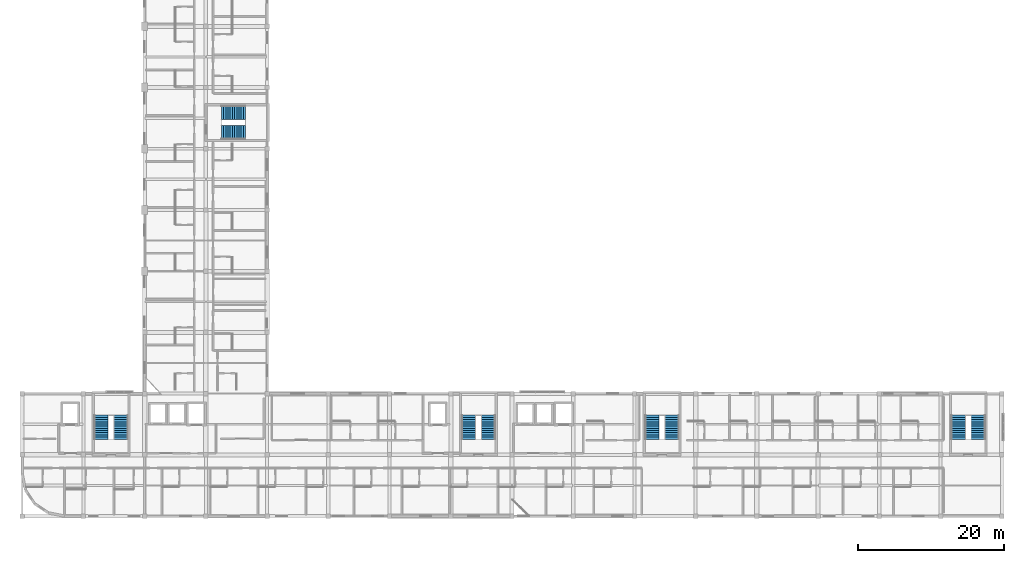
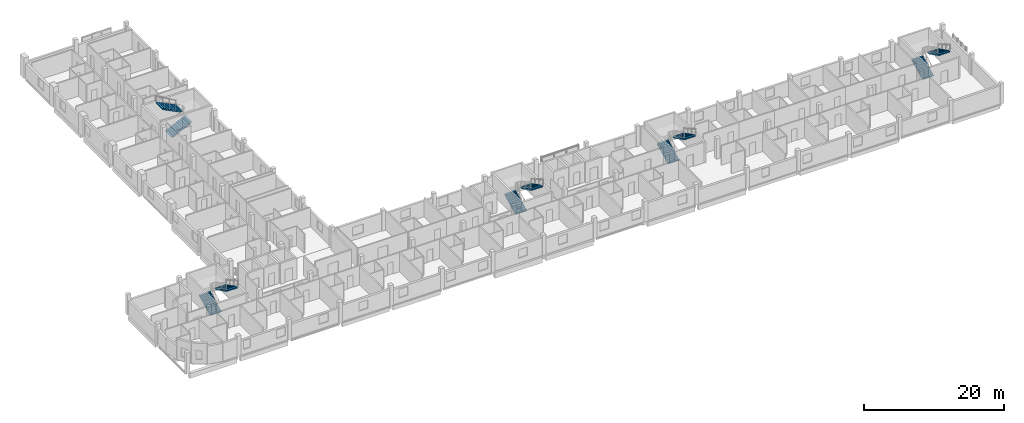
# One storey, part 22 of 24: 10 stair flights, 5 elements without a shape of their own.
"""IFC4 building model written with IfcOpenShell, lengths in metres."""

import ifcopenshell
import ifcopenshell.guid

model = None  # the IFC model being written
_history = None  # IfcOwnerHistory: only IFC2X3 demands one
_inside = {}  # id of a spatial element -> (the spatial element, [elements in it])
_under = {}  # id of a project, library or spatial element -> (it, [spatial elements below it])
_declared = {}  # id of a project -> (the project, [libraries it declares])
_typed = {}  # id of a type object -> (the type object, [elements of that type])
_made_of = {}  # id of a material, layer set ... -> (it, [elements and type objects made of it])


def new_model(schema):
    """Start an empty IFC model of exactly this schema.

    Asked for "IFC4X3", IfcOpenShell would pick the latest addendum, in which some entities
    have other attributes; the version numbers below select the first issue.
    IFC2X3 requires an IfcOwnerHistory on every rooted entity: one is made here for all.
    """
    global model, _history
    if schema == "IFC4X3":
        model = ifcopenshell.file(schema_version=(4, 3, 0, 0))
    else:
        model = ifcopenshell.file(schema=schema)
    _inside.clear()
    _under.clear()
    _declared.clear()
    _typed.clear()
    _made_of.clear()
    _history = None
    if model.schema == "IFC2X3":
        org = make("IfcOrganization", Name="unknown")
        user = make(
            "IfcPersonAndOrganization",
            ThePerson=make("IfcPerson", FamilyName="unknown"),
            TheOrganization=org,
        )
        app = make(
            "IfcApplication",
            ApplicationDeveloper=org,
            Version="unknown",
            ApplicationFullName="unknown",
            ApplicationIdentifier="unknown",
        )
        _history = make(
            "IfcOwnerHistory",
            OwningUser=user,
            OwningApplication=app,
            ChangeAction="ADDED",
            CreationDate=0,
        )
    return model


def make(cls, **values):
    """One entity of the class cls with the attributes given. An attribute that is None is left unset."""
    return model.create_entity(
        cls, **{name: value for name, value in values.items() if value is not None}
    )


def rooted(cls, **values):
    """An entity with a GlobalId (a new one), such as an element, a storey or a relation."""
    return make(cls, GlobalId=ifcopenshell.guid.new(), OwnerHistory=_history, **values)


def si_unit(unit_type, name, prefix=None):
    """IfcSIUnit, for example si_unit("LENGTHUNIT", "METRE", prefix="MILLI")."""
    return make("IfcSIUnit", UnitType=unit_type, Prefix=prefix, Name=name)


def derived_unit(unit_type, elements):
    """IfcDerivedUnit: a product of units, each with its exponent."""
    return make(
        "IfcDerivedUnit",
        Elements=[
            make("IfcDerivedUnitElement", Unit=unit, Exponent=power)
            for unit, power in elements
        ],
        UnitType=unit_type,
    )


def assignment(units):
    """IfcUnitAssignment: the units of a project."""
    return None if units is None else make("IfcUnitAssignment", Units=units)


def point(xyz):
    """IfcCartesianPoint."""
    return None if xyz is None else make("IfcCartesianPoint", Coordinates=xyz)


def direction(xyz):
    """IfcDirection."""
    return None if xyz is None else make("IfcDirection", DirectionRatios=xyz)


def frame(location, z_axis=None, x_axis=None):
    """IfcAxis2Placement3D, a coordinate frame: its origin and axes. An axis left out is left unset."""
    return make(
        "IfcAxis2Placement3D",
        Location=point(location),
        Axis=direction(z_axis),
        RefDirection=direction(x_axis),
    )


def origin():
    """The frame at (0, 0, 0) with its axes left unset."""
    return frame((0.0, 0.0, 0.0))


def place(relative_to, where):
    """IfcLocalPlacement: puts the frame where relative to a parent placement (None: the world)."""
    return make(
        "IfcLocalPlacement", PlacementRelTo=relative_to, RelativePlacement=where
    )


def context(
    kind, dimensions, precision=None, world=None, true_north=None, identifier=None
):
    """IfcGeometricRepresentationContext, for example the 3D "Model" context."""
    return make(
        "IfcGeometricRepresentationContext",
        ContextIdentifier=identifier,
        ContextType=kind,
        CoordinateSpaceDimension=dimensions,
        Precision=precision,
        WorldCoordinateSystem=world,
        TrueNorth=true_north,
    )


def subcontext(parent, identifier, kind, view, scale=None):
    """IfcGeometricRepresentationSubContext, for example "Body" below "Model"."""
    return make(
        "IfcGeometricRepresentationSubContext",
        ContextIdentifier=identifier,
        ContextType=kind,
        ParentContext=parent,
        TargetScale=scale,
        TargetView=view,
    )


def project(units=None, contexts=None):
    """IfcProject with its units and contexts."""
    return rooted(
        "IfcProject",
        Name="project",
        RepresentationContexts=contexts,
        UnitsInContext=assignment(units),
    )


def spatial(cls, under=None, at=None, **own):
    """A site, building, storey or space (cls), placed at a placement, below another one or the project."""
    s = rooted(cls, ObjectPlacement=at, **own)
    if under is not None:
        _under.setdefault(under.id(), (under, []))[1].append(s)
    return s


def polyline(points):
    """IfcPolyline through the points."""
    return make("IfcPolyline", Points=[point(p) for p in points])


def outline(outer, holes=None, kind="AREA"):
    """IfcArbitraryClosedProfileDef: a profile drawn as a closed curve; with holes, ...WithVoids."""
    if holes is None:
        return make("IfcArbitraryClosedProfileDef", ProfileType=kind, OuterCurve=outer)
    return make(
        "IfcArbitraryProfileDefWithVoids",
        ProfileType=kind,
        OuterCurve=outer,
        InnerCurves=holes,
    )


def extrude(swept, where, along, depth):
    """IfcExtrudedAreaSolid: the profile swept, set in the frame where, extruded along a direction by depth."""
    return make(
        "IfcExtrudedAreaSolid",
        SweptArea=swept,
        Position=where,
        ExtrudedDirection=direction(along),
        Depth=depth,
    )


def shape(context_of_items, identifier, shape_type, items):
    """IfcShapeRepresentation: the items that make up one representation, for example the "Body"."""
    return make(
        "IfcShapeRepresentation",
        ContextOfItems=context_of_items,
        RepresentationIdentifier=identifier,
        RepresentationType=shape_type,
        Items=items,
    )


def material(Name=None, Category=None):
    """IfcMaterial."""
    return make("IfcMaterial", Name=Name, Category=Category)


def made_of(thing, what):
    """Note that an element or type object is made of a material, layer set ...; save() writes the relation."""
    if what is not None:
        _made_of.setdefault(what.id(), (what, []))[1].append(thing)
    return thing


def type_object(cls, material=None, **own):
    """A type object (cls), such as IfcWallType, which elements share."""
    return made_of(rooted(cls, **own), material)


def element(
    cls,
    number,
    at=None,
    inside=None,
    cuts=None,
    type_object=None,
    material=None,
    context=None,
    identifier="Body",
    shape_type=None,
    held_by="IfcProductDefinitionShape",
    body=None,
    shapes=None,
    **own,
):
    """One element of the class cls, such as IfcWall. Its Tag is "e" and its number.

    at: its placement. inside: the storey or other place that contains it. cuts: it is an
    opening in that element (IfcRelVoidsElement). A single representation is given by context,
    identifier, shape_type and body (its items); several are given by shapes. held_by: the class
    of the entity that holds the representations. save() writes the other relations.
    """
    e = rooted(cls, Tag="e%d" % number, ObjectPlacement=at, **own)
    if body is not None:
        shapes = [shape(context, identifier, shape_type, body)]
    if shapes is not None:
        e.Representation = make(held_by, Representations=shapes)
    if inside is not None:
        _inside.setdefault(inside.id(), (inside, []))[1].append(e)
    if cuts is not None:
        rooted(
            "IfcRelVoidsElement", RelatingBuildingElement=cuts, RelatedOpeningElement=e
        )
    if type_object is not None:
        _typed.setdefault(type_object.id(), (type_object, []))[1].append(e)
    return made_of(e, material)


def aggregate(whole, parts):
    """IfcRelAggregates: a whole, such as a stair, and the parts it consists of."""
    return rooted("IfcRelAggregates", RelatingObject=whole, RelatedObjects=parts)


def save(model, path):
    """Write the relations noted so far, then the file.

    IfcRelAggregates (storeys below a building ...), IfcRelContainedInSpatialStructure (elements
    in a storey), IfcRelDefinesByType, IfcRelAssociatesMaterial and IfcRelDeclares: one each for
    every whole, place, type object, material and project.
    """
    for whole, parts in _under.values():
        aggregate(whole, parts)
    for where, things in _inside.values():
        rooted(
            "IfcRelContainedInSpatialStructure",
            RelatedElements=things,
            RelatingStructure=where,
        )
    for kind, things in _typed.values():
        rooted("IfcRelDefinesByType", RelatedObjects=things, RelatingType=kind)
    for what, things in _made_of.values():
        rooted("IfcRelAssociatesMaterial", RelatedObjects=things, RelatingMaterial=what)
    for by, libraries in _declared.values():
        rooted("IfcRelDeclares", RelatingContext=by, RelatedDefinitions=libraries)
    model.write(path)


model = new_model("IFC4")

# Units and contexts
model_context = context("Model", 3, precision=1e-05, world=origin(), true_north=direction((0.0, 1.0)))
body_context = subcontext(model_context, "Body", "Model", "MODEL_VIEW")
ifc_project = project(units=[si_unit("LENGTHUNIT", "METRE"), si_unit("AREAUNIT", "SQUARE_METRE"), si_unit("VOLUMEUNIT", "CUBIC_METRE"), si_unit("PLANEANGLEUNIT", "RADIAN"), si_unit("MASSUNIT", "GRAM", prefix="KILO"), derived_unit("THERMALTRANSMITTANCEUNIT", [(si_unit("POWERUNIT", "WATT"), 1), (si_unit("LENGTHUNIT", "METRE"), -2), (si_unit("THERMODYNAMICTEMPERATUREUNIT", "KELVIN"), -1)])], contexts=[model_context])

# Site, building, storey
site_placement = place(None, origin())
site = spatial("IfcSite", under=ifc_project, at=site_placement, CompositionType="ELEMENT")
building_placement = place(site_placement, origin())
building = spatial("IfcBuilding", under=site, at=building_placement, Name="Barrovel Congress Hotel", CompositionType="ELEMENT")
storey_placement = place(building_placement, frame((0.0, 0.0, 29.10009765625)))
storey = spatial("IfcBuildingStorey", under=building, at=storey_placement, Name="L07", CompositionType="ELEMENT", Elevation=29.10009765625)

# Stair, stair flights
ifc_material = material(Name="Concrete C40", Category="concrete")
stair_type_1 = type_object("IfcStairType", Name="STR-HT-360", PredefinedType="HALF_TURN_STAIR", material=ifc_material)
stair_1_placement = place(storey_placement, origin())
stair_1 = element("IfcStair", 1, at=stair_1_placement, inside=storey, type_object=stair_type_1, Name="Exit Stair XS-01 (L07)", PredefinedType="HALF_TURN_STAIR")
stair_flight_type_1 = type_object("IfcStairFlightType", Name="SFL-200x180", PredefinedType="STRAIGHT", material=ifc_material)
stair_flight_1_placement = place(storey_placement, frame((27.679931640625, 14.739990234375, 0.0), z_axis=(0.0, 0.0, 1.0), x_axis=(0.0, 1.0, 0.0)))
stair_flight_1 = element("IfcStairFlight", 2, at=stair_flight_1_placement, type_object=stair_flight_type_1, Name="STAIR:XS-01:L07:F1", NumberOfRisers=12, NumberOfTreads=11, PredefinedType="STRAIGHT", RiserHeight=0.15, TreadLength=0.3, context=body_context, shape_type="SweptSolid", body=[
    extrude(outline(polyline([(0.0, 0.0), (0.0, 0.14990234375), (0.300048828125, 0.14990234375), (0.300048828125, 0.300048828125), (0.60009765625, 0.300048828125), (0.60009765625, 0.449951171875), (0.89990234375, 0.449951171875), (0.89990234375, 0.60009765625), (1.199951171875, 0.60009765625), (1.199951171875, 0.75), (1.5, 0.75), (1.5, 0.89990234375), (1.800048828125, 0.89990234375), (1.800048828125, 1.050048828125), (2.10009765625, 1.050048828125), (2.10009765625, 1.199951171875), (2.39990234375, 1.199951171875), (2.39990234375, 1.35009765625), (2.699951171875, 1.35009765625), (2.699951171875, 1.5), (3.0, 1.5), (3.0, 1.64990234375), (3.300048828125, 1.64990234375), (3.300048828125, 1.800048828125), (3.300048828125, 1.44873046875), (0.40234375, 0.0), (0.0, 0.0)])), frame((0.0, 0.919921875, 0.0), z_axis=(0.0, -1.0, 0.0), x_axis=(1.0, 0.0, 0.0)), (0.0, 0.0, 1.0), 1.840087890625),
])
stair_flight_2_placement = place(storey_placement, frame((30.320068359375, 18.0400390625, 1.7998046875), z_axis=(0.0, 0.0, 1.0), x_axis=(0.0, -1.0, 0.0)))
stair_flight_2 = element("IfcStairFlight", 3, at=stair_flight_2_placement, type_object=stair_flight_type_1, Name="STAIR:XS-01:L07:F2", NumberOfRisers=12, NumberOfTreads=11, PredefinedType="STRAIGHT", RiserHeight=0.15, TreadLength=0.3, context=body_context, shape_type="SweptSolid", body=[
    extrude(outline(polyline([(0.0, 0.0), (0.0, 0.14990234375), (0.300048828125, 0.14990234375), (0.300048828125, 0.300048828125), (0.60009765625, 0.300048828125), (0.60009765625, 0.449951171875), (0.89990234375, 0.449951171875), (0.89990234375, 0.60009765625), (1.199951171875, 0.60009765625), (1.199951171875, 0.75), (1.5, 0.75), (1.5, 0.89990234375), (1.800048828125, 0.89990234375), (1.800048828125, 1.050048828125), (2.10009765625, 1.050048828125), (2.10009765625, 1.199951171875), (2.39990234375, 1.199951171875), (2.39990234375, 1.35009765625), (2.699951171875, 1.35009765625), (2.699951171875, 1.5), (3.0, 1.5), (3.0, 1.64990234375), (3.300048828125, 1.64990234375), (3.300048828125, 1.800048828125), (3.300048828125, 1.44873046875), (0.40234375, 0.0), (0.0, 0.0)])), frame((0.0, 0.919921875, 0.0), z_axis=(0.0, -1.0, 0.0), x_axis=(1.0, 0.0, 0.0)), (0.0, 0.0, 1.0), 1.840087890625),
])
aggregate(stair_1, [stair_flight_1, stair_flight_2])

stair_2_placement = place(storey_placement, origin())
stair_2 = element("IfcStair", 4, at=stair_2_placement, inside=storey, type_object=stair_type_1, Name="Exit Stair XS-02 (L07)", PredefinedType="HALF_TURN_STAIR")
stair_flight_3_placement = place(storey_placement, frame((78.080078125, 14.739990234375, 0.0), z_axis=(0.0, 0.0, 1.0), x_axis=(0.0, 1.0, 0.0)))
stair_flight_3 = element("IfcStairFlight", 5, at=stair_flight_3_placement, type_object=stair_flight_type_1, Name="STAIR:XS-02:L07:F1", NumberOfRisers=12, NumberOfTreads=11, PredefinedType="STRAIGHT", RiserHeight=0.15, TreadLength=0.3, context=body_context, shape_type="SweptSolid", body=[
    extrude(outline(polyline([(0.0, 0.0), (0.0, 0.14990234375), (0.300048828125, 0.14990234375), (0.300048828125, 0.300048828125), (0.60009765625, 0.300048828125), (0.60009765625, 0.449951171875), (0.89990234375, 0.449951171875), (0.89990234375, 0.60009765625), (1.199951171875, 0.60009765625), (1.199951171875, 0.75), (1.5, 0.75), (1.5, 0.89990234375), (1.800048828125, 0.89990234375), (1.800048828125, 1.050048828125), (2.10009765625, 1.050048828125), (2.10009765625, 1.199951171875), (2.39990234375, 1.199951171875), (2.39990234375, 1.35009765625), (2.699951171875, 1.35009765625), (2.699951171875, 1.5), (3.0, 1.5), (3.0, 1.64990234375), (3.300048828125, 1.64990234375), (3.300048828125, 1.800048828125), (3.300048828125, 1.44873046875), (0.40234375, 0.0), (0.0, 0.0)])), frame((0.0, 0.919921875, 0.0), z_axis=(0.0, -1.0, 0.0), x_axis=(1.0, 0.0, 0.0)), (0.0, 0.0, 1.0), 1.840087890625),
])
stair_flight_4_placement = place(storey_placement, frame((80.719970703125, 18.0400390625, 1.7998046875), z_axis=(0.0, 0.0, 1.0), x_axis=(0.0, -1.0, 0.0)))
stair_flight_4 = element("IfcStairFlight", 6, at=stair_flight_4_placement, type_object=stair_flight_type_1, Name="STAIR:XS-02:L07:F2", NumberOfRisers=12, NumberOfTreads=11, PredefinedType="STRAIGHT", RiserHeight=0.15, TreadLength=0.3, context=body_context, shape_type="SweptSolid", body=[
    extrude(outline(polyline([(0.0, 0.0), (0.0, 0.14990234375), (0.300048828125, 0.14990234375), (0.300048828125, 0.300048828125), (0.60009765625, 0.300048828125), (0.60009765625, 0.449951171875), (0.89990234375, 0.449951171875), (0.89990234375, 0.60009765625), (1.199951171875, 0.60009765625), (1.199951171875, 0.75), (1.5, 0.75), (1.5, 0.89990234375), (1.800048828125, 0.89990234375), (1.800048828125, 1.050048828125), (2.10009765625, 1.050048828125), (2.10009765625, 1.199951171875), (2.39990234375, 1.199951171875), (2.39990234375, 1.35009765625), (2.699951171875, 1.35009765625), (2.699951171875, 1.5), (3.0, 1.5), (3.0, 1.64990234375), (3.300048828125, 1.64990234375), (3.300048828125, 1.800048828125), (3.300048828125, 1.44873046875), (0.40234375, 0.0), (0.0, 0.0)])), frame((0.0, 0.919921875, 0.0), z_axis=(0.0, -1.0, 0.0), x_axis=(1.0, 0.0, 0.0)), (0.0, 0.0, 1.0), 1.840087890625),
])
aggregate(stair_2, [stair_flight_3, stair_flight_4])

stair_3_placement = place(storey_placement, origin())
stair_3 = element("IfcStair", 7, at=stair_3_placement, inside=storey, type_object=stair_type_1, Name="Exit Stair XS-03 (L07)", PredefinedType="HALF_TURN_STAIR")
stair_flight_5_placement = place(storey_placement, frame((103.280029296875, 14.739990234375, 0.0), z_axis=(0.0, 0.0, 1.0), x_axis=(0.0, 1.0, 0.0)))
stair_flight_5 = element("IfcStairFlight", 8, at=stair_flight_5_placement, type_object=stair_flight_type_1, Name="STAIR:XS-03:L07:F1", NumberOfRisers=12, NumberOfTreads=11, PredefinedType="STRAIGHT", RiserHeight=0.15, TreadLength=0.3, context=body_context, shape_type="SweptSolid", body=[
    extrude(outline(polyline([(0.0, 0.0), (0.0, 0.14990234375), (0.300048828125, 0.14990234375), (0.300048828125, 0.300048828125), (0.60009765625, 0.300048828125), (0.60009765625, 0.449951171875), (0.89990234375, 0.449951171875), (0.89990234375, 0.60009765625), (1.199951171875, 0.60009765625), (1.199951171875, 0.75), (1.5, 0.75), (1.5, 0.89990234375), (1.800048828125, 0.89990234375), (1.800048828125, 1.050048828125), (2.10009765625, 1.050048828125), (2.10009765625, 1.199951171875), (2.39990234375, 1.199951171875), (2.39990234375, 1.35009765625), (2.699951171875, 1.35009765625), (2.699951171875, 1.5), (3.0, 1.5), (3.0, 1.64990234375), (3.300048828125, 1.64990234375), (3.300048828125, 1.800048828125), (3.300048828125, 1.44873046875), (0.40234375, 0.0), (0.0, 0.0)])), frame((0.0, 0.919921875, 0.0), z_axis=(0.0, -1.0, 0.0), x_axis=(1.0, 0.0, 0.0)), (0.0, 0.0, 1.0), 1.840087890625),
])
stair_flight_6_placement = place(storey_placement, frame((105.919921875, 18.0400390625, 1.7998046875), z_axis=(0.0, 0.0, 1.0), x_axis=(0.0, -1.0, 0.0)))
stair_flight_6 = element("IfcStairFlight", 9, at=stair_flight_6_placement, type_object=stair_flight_type_1, Name="STAIR:XS-03:L07:F2", NumberOfRisers=12, NumberOfTreads=11, PredefinedType="STRAIGHT", RiserHeight=0.15, TreadLength=0.3, context=body_context, shape_type="SweptSolid", body=[
    extrude(outline(polyline([(0.0, 0.0), (0.0, 0.14990234375), (0.300048828125, 0.14990234375), (0.300048828125, 0.300048828125), (0.60009765625, 0.300048828125), (0.60009765625, 0.449951171875), (0.89990234375, 0.449951171875), (0.89990234375, 0.60009765625), (1.199951171875, 0.60009765625), (1.199951171875, 0.75), (1.5, 0.75), (1.5, 0.89990234375), (1.800048828125, 0.89990234375), (1.800048828125, 1.050048828125), (2.10009765625, 1.050048828125), (2.10009765625, 1.199951171875), (2.39990234375, 1.199951171875), (2.39990234375, 1.35009765625), (2.699951171875, 1.35009765625), (2.699951171875, 1.5), (3.0, 1.5), (3.0, 1.64990234375), (3.300048828125, 1.64990234375), (3.300048828125, 1.800048828125), (3.300048828125, 1.44873046875), (0.40234375, 0.0), (0.0, 0.0)])), frame((0.0, 0.919921875, 0.0), z_axis=(0.0, -1.0, 0.0), x_axis=(1.0, 0.0, 0.0)), (0.0, 0.0, 1.0), 1.840087890625),
])
aggregate(stair_3, [stair_flight_5, stair_flight_6])

stair_4_placement = place(storey_placement, origin())
stair_4 = element("IfcStair", 10, at=stair_4_placement, inside=storey, type_object=stair_type_1, Name="Exit Stair XS-04 (L07)", PredefinedType="HALF_TURN_STAIR")
stair_flight_7_placement = place(storey_placement, frame((145.280029296875, 14.739990234375, 0.0), z_axis=(0.0, 0.0, 1.0), x_axis=(0.0, 1.0, 0.0)))
stair_flight_7 = element("IfcStairFlight", 11, at=stair_flight_7_placement, type_object=stair_flight_type_1, Name="STAIR:XS-04:L07:F1", NumberOfRisers=12, NumberOfTreads=11, PredefinedType="STRAIGHT", RiserHeight=0.15, TreadLength=0.3, context=body_context, shape_type="SweptSolid", body=[
    extrude(outline(polyline([(0.0, 0.0), (0.0, 0.14990234375), (0.300048828125, 0.14990234375), (0.300048828125, 0.300048828125), (0.60009765625, 0.300048828125), (0.60009765625, 0.449951171875), (0.89990234375, 0.449951171875), (0.89990234375, 0.60009765625), (1.199951171875, 0.60009765625), (1.199951171875, 0.75), (1.5, 0.75), (1.5, 0.89990234375), (1.800048828125, 0.89990234375), (1.800048828125, 1.050048828125), (2.10009765625, 1.050048828125), (2.10009765625, 1.199951171875), (2.39990234375, 1.199951171875), (2.39990234375, 1.35009765625), (2.699951171875, 1.35009765625), (2.699951171875, 1.5), (3.0, 1.5), (3.0, 1.64990234375), (3.300048828125, 1.64990234375), (3.300048828125, 1.800048828125), (3.300048828125, 1.44873046875), (0.40234375, 0.0), (0.0, 0.0)])), frame((0.0, 0.919921875, 0.0), z_axis=(0.0, -1.0, 0.0), x_axis=(1.0, 0.0, 0.0)), (0.0, 0.0, 1.0), 1.840087890625),
])
stair_flight_8_placement = place(storey_placement, frame((147.919921875, 18.0400390625, 1.7998046875), z_axis=(0.0, 0.0, 1.0), x_axis=(0.0, -1.0, 0.0)))
stair_flight_8 = element("IfcStairFlight", 12, at=stair_flight_8_placement, type_object=stair_flight_type_1, Name="STAIR:XS-04:L07:F2", NumberOfRisers=12, NumberOfTreads=11, PredefinedType="STRAIGHT", RiserHeight=0.15, TreadLength=0.3, context=body_context, shape_type="SweptSolid", body=[
    extrude(outline(polyline([(0.0, 0.0), (0.0, 0.14990234375), (0.300048828125, 0.14990234375), (0.300048828125, 0.300048828125), (0.60009765625, 0.300048828125), (0.60009765625, 0.449951171875), (0.89990234375, 0.449951171875), (0.89990234375, 0.60009765625), (1.199951171875, 0.60009765625), (1.199951171875, 0.75), (1.5, 0.75), (1.5, 0.89990234375), (1.800048828125, 0.89990234375), (1.800048828125, 1.050048828125), (2.10009765625, 1.050048828125), (2.10009765625, 1.199951171875), (2.39990234375, 1.199951171875), (2.39990234375, 1.35009765625), (2.699951171875, 1.35009765625), (2.699951171875, 1.5), (3.0, 1.5), (3.0, 1.64990234375), (3.300048828125, 1.64990234375), (3.300048828125, 1.800048828125), (3.300048828125, 1.44873046875), (0.40234375, 0.0), (0.0, 0.0)])), frame((0.0, 0.919921875, 0.0), z_axis=(0.0, -1.0, 0.0), x_axis=(1.0, 0.0, 0.0)), (0.0, 0.0, 1.0), 1.840087890625),
])
aggregate(stair_4, [stair_flight_7, stair_flight_8])

stair_type_2 = type_object("IfcStairType", Name="STR-DR-360", PredefinedType="DOUBLE_RETURN_STAIR", material=ifc_material)
stair_5_placement = place(storey_placement, origin())
stair_5 = element("IfcStair", 13, at=stair_5_placement, inside=storey, type_object=stair_type_2, Name="Exit Stair XS-05 (L07)", PredefinedType="DOUBLE_RETURN_STAIR")
stair_flight_type_2 = type_object("IfcStairFlightType", Name="SFL-205x180", PredefinedType="STRAIGHT", material=ifc_material)
stair_flight_9_placement = place(storey_placement, frame((44.139892578125, 56.889892578125, 0.0), z_axis=(0.0, 0.0, 1.0), x_axis=(1.0, 0.0, 0.0)))
stair_flight_9 = element("IfcStairFlight", 14, at=stair_flight_9_placement, type_object=stair_flight_type_2, Name="STAIR:XS-05:L07:F1", NumberOfRisers=12, NumberOfTreads=11, PredefinedType="STRAIGHT", RiserHeight=0.15, TreadLength=0.3, context=body_context, shape_type="SweptSolid", body=[
    extrude(outline(polyline([(0.0, 0.0), (0.0, 0.14990234375), (0.300048828125, 0.14990234375), (0.300048828125, 0.300048828125), (0.60009765625, 0.300048828125), (0.60009765625, 0.449951171875), (0.89990234375, 0.449951171875), (0.89990234375, 0.60009765625), (1.199951171875, 0.60009765625), (1.199951171875, 0.75), (1.5, 0.75), (1.5, 0.89990234375), (1.800048828125, 0.89990234375), (1.800048828125, 1.050048828125), (2.10009765625, 1.050048828125), (2.10009765625, 1.199951171875), (2.39990234375, 1.199951171875), (2.39990234375, 1.35009765625), (2.699951171875, 1.35009765625), (2.699951171875, 1.5), (3.0, 1.5), (3.0, 1.64990234375), (3.300048828125, 1.64990234375), (3.300048828125, 1.800048828125), (3.300048828125, 1.44873046875), (0.40234375, 0.0), (0.0, 0.0)])), frame((0.0, 0.93017578125, 0.0), z_axis=(0.0, -1.0, 0.0), x_axis=(1.0, 0.0, 0.0)), (0.0, 0.0, 1.0), 1.860107421875),
])
stair_flight_10_placement = place(storey_placement, frame((47.43994140625, 59.510009765625, 1.7998046875), z_axis=(0.0, 0.0, 1.0), x_axis=(-1.0, 0.0, 0.0)))
stair_flight_10 = element("IfcStairFlight", 15, at=stair_flight_10_placement, type_object=stair_flight_type_2, Name="STAIR:XS-05:L07:F2", NumberOfRisers=12, NumberOfTreads=11, PredefinedType="STRAIGHT", RiserHeight=0.15, TreadLength=0.3, context=body_context, shape_type="SweptSolid", body=[
    extrude(outline(polyline([(0.0, 0.0), (0.0, 0.14990234375), (0.300048828125, 0.14990234375), (0.300048828125, 0.300048828125), (0.60009765625, 0.300048828125), (0.60009765625, 0.449951171875), (0.89990234375, 0.449951171875), (0.89990234375, 0.60009765625), (1.199951171875, 0.60009765625), (1.199951171875, 0.75), (1.5, 0.75), (1.5, 0.89990234375), (1.800048828125, 0.89990234375), (1.800048828125, 1.050048828125), (2.10009765625, 1.050048828125), (2.10009765625, 1.199951171875), (2.39990234375, 1.199951171875), (2.39990234375, 1.35009765625), (2.699951171875, 1.35009765625), (2.699951171875, 1.5), (3.0, 1.5), (3.0, 1.64990234375), (3.300048828125, 1.64990234375), (3.300048828125, 1.800048828125), (3.300048828125, 1.44873046875), (0.40234375, 0.0), (0.0, 0.0)])), frame((0.0, 0.93017578125, 0.0), z_axis=(0.0, -1.0, 0.0), x_axis=(1.0, 0.0, 0.0)), (0.0, 0.0, 1.0), 1.860107421875),
])
aggregate(stair_5, [stair_flight_9, stair_flight_10])

save(model, "model.ifc")
